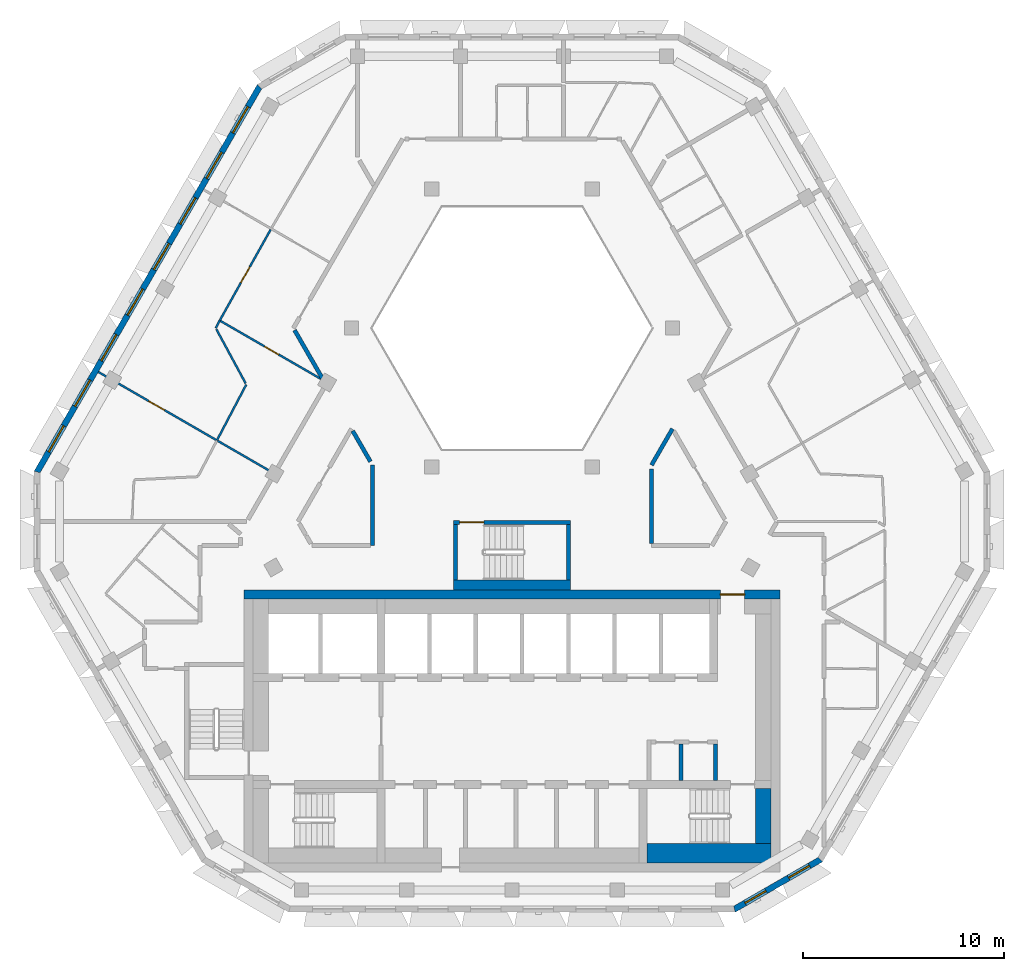
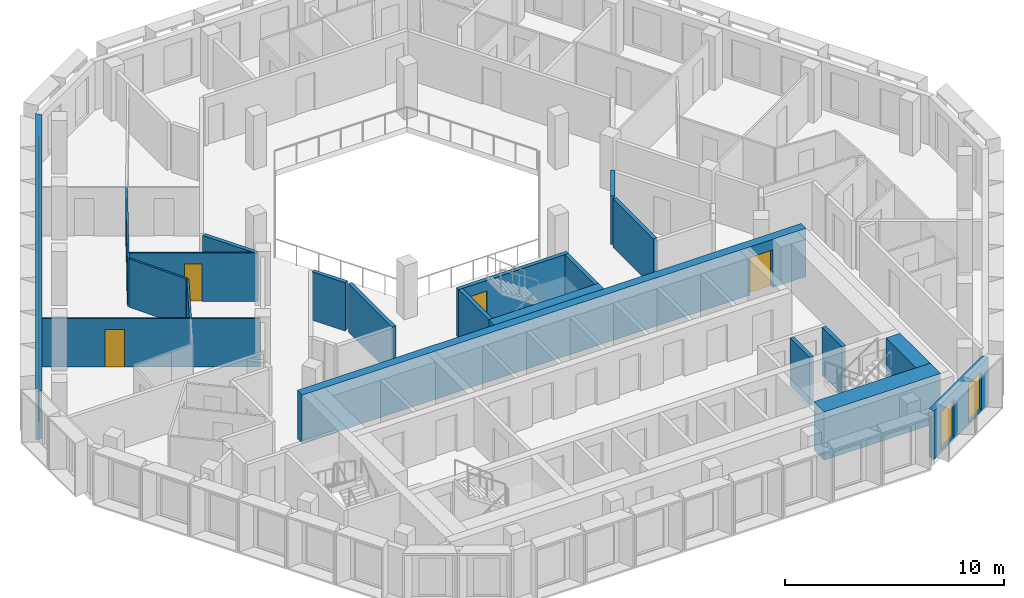
# One storey, part 5 of 16: 22 walls, 10 windows, 5 doors, 15 openings.
"""IFC4 building model written with IfcOpenShell, lengths in metres."""

from ifc_helpers import new_model, si_unit, direction, frame, frame_2d, origin, place, context, subcontext, project, spatial, polyline, rectangle, outline, extrude, material, layer, layer_set, type_object, element, fill, save


model = new_model("IFC4")

# Units and contexts
model_context = context("Model", 3, precision=1e-05, world=origin(), true_north=direction((0.0, 1.0)))
body_context = subcontext(model_context, "Body", "Model", "MODEL_VIEW")
ifc_project = project(units=[si_unit("LENGTHUNIT", "METRE"), si_unit("AREAUNIT", "SQUARE_METRE"), si_unit("VOLUMEUNIT", "CUBIC_METRE"), si_unit("PLANEANGLEUNIT", "RADIAN"), si_unit("MASSUNIT", "GRAM", prefix="KILO")], contexts=[model_context])

# Site, building, storey
site_placement = place(None, origin())
site = spatial("IfcSite", under=ifc_project, at=site_placement, CompositionType="ELEMENT")
building_placement = place(site_placement, origin())
building = spatial("IfcBuilding", under=site, at=building_placement, Name="Beryl Residences", CompositionType="ELEMENT")
storey_placement = place(building_placement, frame((0.0, 0.0, 226.800048828125)))
storey = spatial("IfcBuildingStorey", under=building, at=storey_placement, Name="L70", CompositionType="ELEMENT", Elevation=226.800048828125)

# Wall, openings, windows
ifc_material_1 = material(Name="Composite metal panel with mineral wool insulation")
ifc_layer_1 = layer(ifc_material_1, 0.300048828125)
ifc_layer_set_1 = layer_set([ifc_layer_1], Name="ES1 pale metal composite panel wall 300 mm")
wall_type_1 = type_object("IfcWallType", Name="ES1 pale metal composite panel wall 300 mm", PredefinedType="SOLIDWALL", material=ifc_layer_set_1)
wall_1_placement = place(storey_placement, frame((-12.513916015625, 20.02490234375, 0.0), z_axis=(0.0, 0.0, 1.0), x_axis=(-0.500003656944, -0.866023292436, 0.0)))
wall_1 = element("IfcWall", 1, at=wall_1_placement, inside=storey, type_object=wall_type_1, Name="ES1 external wall L70 NW", PredefinedType="SOLIDWALL", context=body_context, shape_type="SweptSolid", body=[
    extrude(outline(polyline([(0.0, -0.14990234375), (22.170166015625, -0.14990234375), (22.08984375, 0.14990234375), (0.080322265625, 0.14990234375), (0.0, -0.14990234375)])), origin(), (0.0, 0.0, 1.0), 2.699951171875),
])
opening_1_placement = place(wall_1_placement, frame((1.19091796875, 0.0, 0.14990234375)))
opening_1 = element("IfcOpeningElement", 2, at=opening_1_placement, cuts=wall_1, Name="Opening W1", PredefinedType="OPENING", context=body_context, shape_type="SweptSolid", body=[
    extrude(rectangle(XDim=1.5, YDim=2.10009765625, at=frame_2d((0.75, 1.050048828125))), frame((0.0, 0.159912109375, 0.0), z_axis=(0.0, -1.0, 0.0), x_axis=(1.0, 0.0, 0.0)), (0.0, 0.0, 1.0), 0.320068359375),
])
opening_2_placement = place(wall_1_placement, frame((3.803955078125, 0.0, 0.14990234375)))
opening_2 = element("IfcOpeningElement", 3, at=opening_2_placement, cuts=wall_1, Name="Opening W1", PredefinedType="OPENING", context=body_context, shape_type="SweptSolid", body=[
    extrude(rectangle(XDim=1.5, YDim=2.10009765625, at=frame_2d((0.75, 1.050048828125))), frame((0.0, 0.159912109375, 0.0), z_axis=(0.0, -1.0, 0.0), x_axis=(1.0, 0.0, 0.0)), (0.0, 0.0, 1.0), 0.320068359375),
])
opening_3_placement = place(wall_1_placement, frame((6.416015625, 0.0, 0.14990234375)))
opening_3 = element("IfcOpeningElement", 4, at=opening_3_placement, cuts=wall_1, Name="Opening W1", PredefinedType="OPENING", context=body_context, shape_type="SweptSolid", body=[
    extrude(rectangle(XDim=1.5, YDim=2.10009765625, at=frame_2d((0.75, 1.050048828125))), frame((0.0, 0.159912109375, 0.0), z_axis=(0.0, -1.0, 0.0), x_axis=(1.0, 0.0, 0.0)), (0.0, 0.0, 1.0), 0.320068359375),
])
opening_4_placement = place(wall_1_placement, frame((9.029052734375, 0.0, 0.14990234375)))
opening_4 = element("IfcOpeningElement", 5, at=opening_4_placement, cuts=wall_1, Name="Opening W1", PredefinedType="OPENING", context=body_context, shape_type="SweptSolid", body=[
    extrude(rectangle(XDim=1.5, YDim=2.10009765625, at=frame_2d((0.75, 1.050048828125))), frame((0.0, 0.159912109375, 0.0), z_axis=(0.0, -1.0, 0.0), x_axis=(1.0, 0.0, 0.0)), (0.0, 0.0, 1.0), 0.320068359375),
])
opening_5_placement = place(wall_1_placement, frame((11.64111328125, 0.0, 0.14990234375)))
opening_5 = element("IfcOpeningElement", 6, at=opening_5_placement, cuts=wall_1, Name="Opening W1", PredefinedType="OPENING", context=body_context, shape_type="SweptSolid", body=[
    extrude(rectangle(XDim=1.5, YDim=2.10009765625, at=frame_2d((0.75, 1.050048828125))), frame((0.0, 0.159912109375, 0.0), z_axis=(0.0, -1.0, 0.0), x_axis=(1.0, 0.0, 0.0)), (0.0, 0.0, 1.0), 0.320068359375),
])
opening_6_placement = place(wall_1_placement, frame((14.25390625, 0.0, 0.14990234375)))
opening_6 = element("IfcOpeningElement", 7, at=opening_6_placement, cuts=wall_1, Name="Opening W1", PredefinedType="OPENING", context=body_context, shape_type="SweptSolid", body=[
    extrude(rectangle(XDim=1.5, YDim=2.10009765625, at=frame_2d((0.75, 1.050048828125))), frame((0.0, 0.159912109375, 0.0), z_axis=(0.0, -1.0, 0.0), x_axis=(1.0, 0.0, 0.0)), (0.0, 0.0, 1.0), 0.320068359375),
])
opening_7_placement = place(wall_1_placement, frame((16.865966796875, 0.0, 0.14990234375)))
opening_7 = element("IfcOpeningElement", 8, at=opening_7_placement, cuts=wall_1, Name="Opening W1", PredefinedType="OPENING", context=body_context, shape_type="SweptSolid", body=[
    extrude(rectangle(XDim=1.5, YDim=2.10009765625, at=frame_2d((0.75, 1.050048828125))), frame((0.0, 0.159912109375, 0.0), z_axis=(0.0, -1.0, 0.0), x_axis=(1.0, 0.0, 0.0)), (0.0, 0.0, 1.0), 0.320068359375),
])
opening_8_placement = place(wall_1_placement, frame((19.47900390625, 0.0, 0.14990234375)))
opening_8 = element("IfcOpeningElement", 9, at=opening_8_placement, cuts=wall_1, Name="Opening W1", PredefinedType="OPENING", context=body_context, shape_type="SweptSolid", body=[
    extrude(rectangle(XDim=1.5, YDim=2.10009765625, at=frame_2d((0.75, 1.050048828125))), frame((0.0, 0.159912109375, 0.0), z_axis=(0.0, -1.0, 0.0), x_axis=(1.0, 0.0, 0.0)), (0.0, 0.0, 1.0), 0.320068359375),
])
ifc_material_2 = material(Name="Aluminium and clear glass", Category="aluminium")
window_type_1 = type_object("IfcWindowType", Name="W1 cell window 1500 x 2100 mm", PartitioningType="SINGLE_PANEL", PredefinedType="WINDOW", material=ifc_material_2)
window_1_placement = place(opening_1_placement, origin())
window_1 = element("IfcWindow", 10, at=window_1_placement, inside=storey, type_object=window_type_1, Name="W1 window L70 NW 1", OverallHeight=2.10009765625, OverallWidth=1.5, PartitioningType="SINGLE_PANEL", PredefinedType="WINDOW", context=body_context, shape_type="SweptSolid", body=[
    extrude(rectangle(XDim=1.5, YDim=2.10009765625, at=frame_2d((0.75, 1.050048828125))), frame((0.0, 0.030029296875, 0.0), z_axis=(0.0, -1.0, 0.0), x_axis=(1.0, 0.0, 0.0)), (0.0, 0.0, 1.0), 0.06005859375),
])
fill(opening_1, window_1)
window_2_placement = place(opening_2_placement, origin())
window_2 = element("IfcWindow", 11, at=window_2_placement, inside=storey, type_object=window_type_1, Name="W1 window L70 NW 2", OverallHeight=2.10009765625, OverallWidth=1.5, PartitioningType="SINGLE_PANEL", PredefinedType="WINDOW", context=body_context, shape_type="SweptSolid", body=[
    extrude(rectangle(XDim=1.5, YDim=2.10009765625, at=frame_2d((0.75, 1.050048828125))), frame((0.0, 0.030029296875, 0.0), z_axis=(0.0, -1.0, 0.0), x_axis=(1.0, 0.0, 0.0)), (0.0, 0.0, 1.0), 0.06005859375),
])
fill(opening_2, window_2)
window_3_placement = place(opening_3_placement, origin())
window_3 = element("IfcWindow", 12, at=window_3_placement, inside=storey, type_object=window_type_1, Name="W1 window L70 NW 3", OverallHeight=2.10009765625, OverallWidth=1.5, PartitioningType="SINGLE_PANEL", PredefinedType="WINDOW", context=body_context, shape_type="SweptSolid", body=[
    extrude(rectangle(XDim=1.5, YDim=2.10009765625, at=frame_2d((0.75, 1.050048828125))), frame((0.0, 0.030029296875, 0.0), z_axis=(0.0, -1.0, 0.0), x_axis=(1.0, 0.0, 0.0)), (0.0, 0.0, 1.0), 0.06005859375),
])
fill(opening_3, window_3)
window_4_placement = place(opening_4_placement, origin())
window_4 = element("IfcWindow", 13, at=window_4_placement, inside=storey, type_object=window_type_1, Name="W1 window L70 NW 4", OverallHeight=2.10009765625, OverallWidth=1.5, PartitioningType="SINGLE_PANEL", PredefinedType="WINDOW", context=body_context, shape_type="SweptSolid", body=[
    extrude(rectangle(XDim=1.5, YDim=2.10009765625, at=frame_2d((0.75, 1.050048828125))), frame((0.0, 0.030029296875, 0.0), z_axis=(0.0, -1.0, 0.0), x_axis=(1.0, 0.0, 0.0)), (0.0, 0.0, 1.0), 0.06005859375),
])
fill(opening_4, window_4)
window_5_placement = place(opening_5_placement, origin())
window_5 = element("IfcWindow", 14, at=window_5_placement, inside=storey, type_object=window_type_1, Name="W1 window L70 NW 5", OverallHeight=2.10009765625, OverallWidth=1.5, PartitioningType="SINGLE_PANEL", PredefinedType="WINDOW", context=body_context, shape_type="SweptSolid", body=[
    extrude(rectangle(XDim=1.5, YDim=2.10009765625, at=frame_2d((0.75, 1.050048828125))), frame((0.0, 0.030029296875, 0.0), z_axis=(0.0, -1.0, 0.0), x_axis=(1.0, 0.0, 0.0)), (0.0, 0.0, 1.0), 0.06005859375),
])
fill(opening_5, window_5)
window_6_placement = place(opening_6_placement, origin())
window_6 = element("IfcWindow", 15, at=window_6_placement, inside=storey, type_object=window_type_1, Name="W1 window L70 NW 6", OverallHeight=2.10009765625, OverallWidth=1.5, PartitioningType="SINGLE_PANEL", PredefinedType="WINDOW", context=body_context, shape_type="SweptSolid", body=[
    extrude(rectangle(XDim=1.5, YDim=2.10009765625, at=frame_2d((0.75, 1.050048828125))), frame((0.0, 0.030029296875, 0.0), z_axis=(0.0, -1.0, 0.0), x_axis=(1.0, 0.0, 0.0)), (0.0, 0.0, 1.0), 0.06005859375),
])
fill(opening_6, window_6)
window_7_placement = place(opening_7_placement, origin())
window_7 = element("IfcWindow", 16, at=window_7_placement, inside=storey, type_object=window_type_1, Name="W1 window L70 NW 7", OverallHeight=2.10009765625, OverallWidth=1.5, PartitioningType="SINGLE_PANEL", PredefinedType="WINDOW", context=body_context, shape_type="SweptSolid", body=[
    extrude(rectangle(XDim=1.5, YDim=2.10009765625, at=frame_2d((0.75, 1.050048828125))), frame((0.0, 0.030029296875, 0.0), z_axis=(0.0, -1.0, 0.0), x_axis=(1.0, 0.0, 0.0)), (0.0, 0.0, 1.0), 0.06005859375),
])
fill(opening_7, window_7)
window_8_placement = place(opening_8_placement, origin())
window_8 = element("IfcWindow", 17, at=window_8_placement, inside=storey, type_object=window_type_1, Name="W1 window L70 NW 8", OverallHeight=2.10009765625, OverallWidth=1.5, PartitioningType="SINGLE_PANEL", PredefinedType="WINDOW", context=body_context, shape_type="SweptSolid", body=[
    extrude(rectangle(XDim=1.5, YDim=2.10009765625, at=frame_2d((0.75, 1.050048828125))), frame((0.0, 0.030029296875, 0.0), z_axis=(0.0, -1.0, 0.0), x_axis=(1.0, 0.0, 0.0)), (0.0, 0.0, 1.0), 0.06005859375),
])
fill(opening_8, window_8)

wall_2_placement = place(storey_placement, frame((11.010009765625, -20.8701171875, 0.0), z_axis=(0.0, 0.0, 1.0), x_axis=(0.866022959057, 0.500004234368, 0.0)))
wall_2 = element("IfcWall", 18, at=wall_2_placement, inside=storey, type_object=wall_type_1, Name="ES1 external wall L70 S-SE", PredefinedType="SOLIDWALL", context=body_context, shape_type="SweptSolid", body=[
    extrude(outline(polyline([(0.0, -0.14990234375), (5.0, -0.14990234375), (4.919677734375, 0.14990234375), (0.080322265625, 0.14990234375), (0.0, -0.14990234375)])), origin(), (0.0, 0.0, 1.0), 2.699951171875),
])
opening_9_placement = place(wall_2_placement, frame((0.64990234375, 0.0, 0.14990234375)))
opening_9 = element("IfcOpeningElement", 19, at=opening_9_placement, cuts=wall_2, Name="Opening W2", PredefinedType="OPENING", context=body_context, shape_type="SweptSolid", body=[
    extrude(rectangle(XDim=1.199951171875, YDim=2.10009765625, at=frame_2d((0.60009765625, 1.050048828125))), frame((0.0, 0.159912109375, 0.0), z_axis=(0.0, -1.0, 0.0), x_axis=(1.0, 0.0, 0.0)), (0.0, 0.0, 1.0), 0.320068359375),
])
opening_10_placement = place(wall_2_placement, frame((3.14892578125, 0.0, 0.14990234375)))
opening_10 = element("IfcOpeningElement", 20, at=opening_10_placement, cuts=wall_2, Name="Opening W2", PredefinedType="OPENING", context=body_context, shape_type="SweptSolid", body=[
    extrude(rectangle(XDim=1.199951171875, YDim=2.10009765625, at=frame_2d((0.60009765625, 1.050048828125))), frame((0.0, 0.159912109375, 0.0), z_axis=(0.0, -1.0, 0.0), x_axis=(1.0, 0.0, 0.0)), (0.0, 0.0, 1.0), 0.320068359375),
])
ifc_material_3 = material(Name="Aluminium and clear glass", Category="aluminium")
window_type_2 = type_object("IfcWindowType", Name="W2 chamfer window 1200 x 2100 mm", PartitioningType="SINGLE_PANEL", PredefinedType="WINDOW", material=ifc_material_3)
window_9_placement = place(opening_9_placement, origin())
window_9 = element("IfcWindow", 21, at=window_9_placement, inside=storey, type_object=window_type_2, Name="W2 window L70 S-SE 1", OverallHeight=2.10009765625, OverallWidth=1.199951171875, PartitioningType="SINGLE_PANEL", PredefinedType="WINDOW", context=body_context, shape_type="SweptSolid", body=[
    extrude(rectangle(XDim=1.199951171875, YDim=2.10009765625, at=frame_2d((0.60009765625, 1.050048828125))), frame((0.0, 0.030029296875, 0.0), z_axis=(0.0, -1.0, 0.0), x_axis=(1.0, 0.0, 0.0)), (0.0, 0.0, 1.0), 0.06005859375),
])
fill(opening_9, window_9)
window_10_placement = place(opening_10_placement, origin())
window_10 = element("IfcWindow", 22, at=window_10_placement, inside=storey, type_object=window_type_2, Name="W2 window L70 S-SE 2", OverallHeight=2.10009765625, OverallWidth=1.199951171875, PartitioningType="SINGLE_PANEL", PredefinedType="WINDOW", context=body_context, shape_type="SweptSolid", body=[
    extrude(rectangle(XDim=1.199951171875, YDim=2.10009765625, at=frame_2d((0.60009765625, 1.050048828125))), frame((0.0, 0.030029296875, 0.0), z_axis=(0.0, -1.0, 0.0), x_axis=(1.0, 0.0, 0.0)), (0.0, 0.0, 1.0), 0.06005859375),
])
fill(opening_10, window_10)

# Wall
ifc_material_4 = material(Name="Gypsum board partition on steel studs", Category="steel")
ifc_layer_2 = layer(ifc_material_4, 0.10009765625)
ifc_layer_set_2 = layer_set([ifc_layer_2], Name="PT1 partition 100 mm gypsum board on steel studs")
wall_type_2 = type_object("IfcWallType", Name="PT1 partition 100 mm gypsum board on steel studs", PredefinedType="PARTITIONING", material=ifc_layer_set_2)
wall_3_placement = place(storey_placement, frame((-14.679931640625, 7.947021484375, 0.0), z_axis=(0.0, 0.0, 1.0), x_axis=(0.475823637798, -0.879540712936, 0.0)))
element("IfcWall", 23, at=wall_3_placement, inside=storey, type_object=wall_type_2, Name="Wall PT1 L70 008", PredefinedType="PARTITIONING", context=body_context, shape_type="SweptSolid", body=[
    extrude(rectangle(XDim=3.064208984375, YDim=0.10009765625, at=frame_2d((1.5322265625, 0.0))), origin(), (0.0, 0.0, 1.0), 2.699951171875),
])

# Wall, opening, door
wall_4_placement = place(storey_placement, frame((-20.5390625, 5.824951171875, 0.0), z_axis=(0.0, 0.0, 1.0), x_axis=(0.866047370643, -0.499961950354, 0.0)))
wall_4 = element("IfcWall", 24, at=wall_4_placement, inside=storey, type_object=wall_type_2, Name="Wall PT1 L70 013", PredefinedType="PARTITIONING", context=body_context, shape_type="SweptSolid", body=[
    extrude(rectangle(XDim=10.000732421875, YDim=0.10009765625, at=frame_2d((5.00048828125, 0.0))), origin(), (0.0, 0.0, 1.0), 2.699951171875),
])
opening_11_placement = place(wall_4_placement, frame((2.886962890625, 0.0, 0.0)))
opening_11 = element("IfcOpeningElement", 25, at=opening_11_placement, cuts=wall_4, Name="Opening D1929", PredefinedType="OPENING", context=body_context, shape_type="SweptSolid", body=[
    extrude(rectangle(XDim=0.89990234375, YDim=2.10009765625, at=frame_2d((0.449951171875, 1.050048828125))), frame((0.0, 0.06005859375, 0.0), z_axis=(0.0, -1.0, 0.0), x_axis=(1.0, 0.0, 0.0)), (0.0, 0.0, 1.0), 0.1201171875),
])
ifc_material_5 = material(Name="Timber door leaf", Category="wood")
door_type_1 = type_object("IfcDoorType", Name="D2 room door 900 x 2100 mm", OperationType="SINGLE_SWING_LEFT", PredefinedType="DOOR", material=ifc_material_5)
door_1_placement = place(opening_11_placement, origin())
door_1 = element("IfcDoor", 26, at=door_1_placement, inside=storey, type_object=door_type_1, Name="Door D1929 L70 001", OperationType="SINGLE_SWING_LEFT", OverallHeight=2.10009765625, OverallWidth=0.89990234375, PredefinedType="DOOR", context=body_context, shape_type="SweptSolid", body=[
    extrude(rectangle(XDim=0.89990234375, YDim=2.10009765625, at=frame_2d((0.449951171875, 1.050048828125))), frame((0.0, 0.02490234375, 0.0), z_axis=(0.0, -1.0, 0.0), x_axis=(1.0, 0.0, 0.0)), (0.0, 0.0, 1.0), 0.050048828125),
])
fill(opening_11, door_1)

wall_5_placement = place(storey_placement, frame((-14.469970703125, 8.35400390625, 0.0), z_axis=(0.0, 0.0, 1.0), x_axis=(0.866067902578, -0.499926382705, 0.0)))
wall_5 = element("IfcWall", 27, at=wall_5_placement, inside=storey, type_object=wall_type_2, Name="Wall PT1 L70 014", PredefinedType="PARTITIONING", context=body_context, shape_type="SweptSolid", body=[
    extrude(rectangle(XDim=5.9072265625, YDim=0.10009765625, at=frame_2d((2.95361328125, 0.0))), origin(), (0.0, 0.0, 1.0), 2.699951171875),
])
opening_12_placement = place(wall_5_placement, frame((2.529052734375, 0.0, 0.0)))
opening_12 = element("IfcOpeningElement", 28, at=opening_12_placement, cuts=wall_5, Name="Opening D1926", PredefinedType="OPENING", context=body_context, shape_type="SweptSolid", body=[
    extrude(rectangle(XDim=0.800048828125, YDim=2.10009765625, at=frame_2d((0.39990234375, 1.050048828125))), frame((0.0, 0.06005859375, 0.0), z_axis=(0.0, -1.0, 0.0), x_axis=(1.0, 0.0, 0.0)), (0.0, 0.0, 1.0), 0.1201171875),
])
ifc_material_6 = material(Name="Timber door leaf", Category="wood")
door_type_2 = type_object("IfcDoorType", Name="D3 bathroom door 800 x 2100 mm", OperationType="SINGLE_SWING_LEFT", PredefinedType="DOOR", material=ifc_material_6)
door_2_placement = place(opening_12_placement, origin())
door_2 = element("IfcDoor", 29, at=door_2_placement, inside=storey, type_object=door_type_2, Name="Door D1926 L70 001", OperationType="SINGLE_SWING_RIGHT", OverallHeight=2.10009765625, OverallWidth=0.800048828125, PredefinedType="DOOR", context=body_context, shape_type="SweptSolid", body=[
    extrude(rectangle(XDim=0.800048828125, YDim=2.10009765625, at=frame_2d((0.39990234375, 1.050048828125))), frame((0.0, 0.02490234375, 0.0), z_axis=(0.0, -1.0, 0.0), x_axis=(1.0, 0.0, 0.0)), (0.0, 0.0, 1.0), 0.050048828125),
])
fill(opening_12, door_2)

wall_6_placement = place(storey_placement, frame((-14.52197265625, 8.362060546875, 0.0), z_axis=(0.0, 0.0, 1.0), x_axis=(0.488772229601, 0.872411432508, 0.0)))
wall_6 = element("IfcWall", 30, at=wall_6_placement, inside=storey, type_object=wall_type_2, Name="Wall PT1 L70 026", PredefinedType="PARTITIONING", context=body_context, shape_type="SweptSolid", body=[
    extrude(rectangle(XDim=5.19482421875, YDim=0.10009765625, at=frame_2d((2.597412109375, 0.0))), origin(), (0.0, 0.0, 1.0), 2.699951171875),
])
opening_13_placement = place(wall_6_placement, frame((2.173095703125, 0.0, 0.0)))
opening_13 = element("IfcOpeningElement", 31, at=opening_13_placement, cuts=wall_6, Name="Opening D1927", PredefinedType="OPENING", context=body_context, shape_type="SweptSolid", body=[
    extrude(rectangle(XDim=0.89990234375, YDim=2.10009765625, at=frame_2d((0.449951171875, 1.050048828125))), frame((0.0, 0.06005859375, 0.0), z_axis=(0.0, -1.0, 0.0), x_axis=(1.0, 0.0, 0.0)), (0.0, 0.0, 1.0), 0.1201171875),
])
door_3_placement = place(opening_13_placement, origin())
door_3 = element("IfcDoor", 32, at=door_3_placement, inside=storey, type_object=door_type_1, Name="Door D1927 L70 001", OperationType="SINGLE_SWING_LEFT", OverallHeight=2.10009765625, OverallWidth=0.89990234375, PredefinedType="DOOR", context=body_context, shape_type="SweptSolid", body=[
    extrude(rectangle(XDim=0.89990234375, YDim=2.10009765625, at=frame_2d((0.449951171875, 1.050048828125))), frame((0.0, 0.02490234375, 0.0), z_axis=(0.0, -1.0, 0.0), x_axis=(1.0, 0.0, 0.0)), (0.0, 0.0, 1.0), 0.050048828125),
])
fill(opening_13, door_3)

# Walls
wall_7_placement = place(storey_placement, frame((-14.708984375, 8.0, 0.0), z_axis=(0.0, 0.0, 1.0), x_axis=(0.458976923864, 0.888448188337, 0.0)))
element("IfcWall", 33, at=wall_7_placement, inside=storey, type_object=wall_type_2, Name="Wall PT1 L70 030", PredefinedType="PARTITIONING", context=body_context, shape_type="SweptSolid", body=[
    extrude(rectangle(XDim=0.44677734375, YDim=0.10009765625, at=frame_2d((0.223388671875, 0.0))), origin(), (0.0, 0.0, 1.0), 2.699951171875),
])
wall_8_placement = place(storey_placement, frame((-14.652099609375, 2.426025390625, 0.0), z_axis=(0.0, 0.0, 1.0), x_axis=(0.465502421984, 0.885046606189, 0.0)))
element("IfcWall", 34, at=wall_8_placement, inside=storey, type_object=wall_type_2, Name="Wall PT1 L70 045", PredefinedType="PARTITIONING", context=body_context, shape_type="SweptSolid", body=[
    extrude(rectangle(XDim=3.13427734375, YDim=0.10009765625, at=frame_2d((1.567138671875, 0.0))), origin(), (0.0, 0.0, 1.0), 2.699951171875),
])
ifc_material_7 = material(Name="Concrete masonry", Category="masonry")
ifc_layer_3 = layer(ifc_material_7, 0.199951171875)
ifc_layer_set_3 = layer_set([ifc_layer_3], Name="PT13 lobby wall 200 mm")
wall_type_3 = type_object("IfcWallType", Name="PT13 lobby wall 200 mm", PredefinedType="PARTITIONING", material=ifc_layer_set_3)
wall_9_placement = place(storey_placement, frame((10.10009765625, -14.449951171875, 0.0), z_axis=(0.0, 0.0, 1.0), x_axis=(0.0, 1.0, 0.0)))
element("IfcWall", 35, at=wall_9_placement, inside=storey, type_object=wall_type_3, Name="Lobby wall 31", PredefinedType="PARTITIONING", context=body_context, shape_type="SweptSolid", body=[
    extrude(rectangle(XDim=1.800048828125, YDim=0.199951171875, at=frame_2d((0.89990234375, 0.0))), origin(), (0.0, 0.0, 1.0), 2.699951171875),
])
ifc_material_8 = material(Name="Double stud gypsum board wall")
ifc_layer_4 = layer(ifc_material_8, 0.199951171875)
ifc_layer_set_4 = layer_set([ifc_layer_4], Name="PT4 corridor wall 200 mm double stud")
wall_type_4 = type_object("IfcWallType", Name="PT4 corridor wall 200 mm double stud", PredefinedType="PARTITIONING", material=ifc_layer_set_4)
wall_10_placement = place(storey_placement, frame((-10.7958984375, 7.89990234375, 0.0), z_axis=(0.0, 0.0, 1.0), x_axis=(0.499674397761, -0.866213308731, 0.0)))
element("IfcWall", 36, at=wall_10_placement, inside=storey, type_object=wall_type_4, Name="Wall PT4 L70 001", PredefinedType="PARTITIONING", context=body_context, shape_type="SweptSolid", body=[
    extrude(rectangle(XDim=2.785400390625, YDim=0.199951171875, at=frame_2d((1.392578125, 0.0))), origin(), (0.0, 0.0, 1.0), 2.699951171875),
])
wall_11_placement = place(storey_placement, frame((-7.908935546875, 2.89794921875, 0.0), z_axis=(0.0, 0.0, 1.0), x_axis=(0.50019444547, -0.865913111531, 0.0)))
element("IfcWall", 37, at=wall_11_placement, inside=storey, type_object=wall_type_4, Name="Wall PT4 L70 002", PredefinedType="PARTITIONING", context=body_context, shape_type="SweptSolid", body=[
    extrude(rectangle(XDim=1.760986328125, YDim=0.199951171875, at=frame_2d((0.88037109375, 0.0))), origin(), (0.0, 0.0, 1.0), 2.699951171875),
])
wall_12_placement = place(storey_placement, frame((6.927978515625, 1.0, 0.0), z_axis=(0.0, 0.0, 1.0), x_axis=(0.0, -1.0, 0.0)))
element("IfcWall", 38, at=wall_12_placement, inside=storey, type_object=wall_type_4, Name="Wall PT4 L70 009", PredefinedType="PARTITIONING", context=body_context, shape_type="SweptSolid", body=[
    extrude(rectangle(XDim=3.698974609375, YDim=0.199951171875, at=frame_2d((1.849609375, 0.0))), origin(), (0.0, 0.0, 1.0), 2.699951171875),
])
wall_13_placement = place(storey_placement, frame((6.927978515625, 1.199951171875, 0.0), z_axis=(0.0, 0.0, 1.0), x_axis=(0.500132712588, 0.865948768577, 0.0)))
element("IfcWall", 39, at=wall_13_placement, inside=storey, type_object=wall_type_4, Name="Wall PT4 L70 018", PredefinedType="PARTITIONING", context=body_context, shape_type="SweptSolid", body=[
    extrude(rectangle(XDim=2.07763671875, YDim=0.199951171875, at=frame_2d((1.038818359375, 0.0))), origin(), (0.0, 0.0, 1.0), 2.699951171875),
])
wall_14_placement = place(storey_placement, frame((-6.927978515625, -2.799072265625, 0.0), z_axis=(0.0, 0.0, 1.0), x_axis=(0.0, 1.0, 0.0)))
element("IfcWall", 40, at=wall_14_placement, inside=storey, type_object=wall_type_4, Name="Wall PT4 L70 028", PredefinedType="PARTITIONING", context=body_context, shape_type="SweptSolid", body=[
    extrude(rectangle(XDim=3.9990234375, YDim=0.199951171875, at=frame_2d((1.99951171875, 0.0))), origin(), (0.0, 0.0, 1.0), 2.699951171875),
])

# Wall, opening, door
ifc_material_9 = material(Name="Concrete C40/50", Category="concrete")
ifc_layer_5 = layer(ifc_material_9, 0.199951171875)
ifc_layer_set_5 = layer_set([ifc_layer_5], Name="PT5 stair enclosure wall 200 mm reinforced concrete C40/50")
wall_type_5 = type_object("IfcWallType", Name="PT5 stair enclosure wall 200 mm reinforced concrete C40/50", PredefinedType="SOLIDWALL", material=ifc_layer_set_5)
wall_15_placement = place(storey_placement, frame((-2.89990234375, -1.64990234375, 0.0), z_axis=(0.0, 0.0, 1.0), x_axis=(1.0, 0.0, 0.0)))
wall_15 = element("IfcWall", 41, at=wall_15_placement, inside=storey, type_object=wall_type_5, Name="Wall PT5 L70 001", PredefinedType="SOLIDWALL", context=body_context, shape_type="SweptSolid", body=[
    extrude(rectangle(XDim=5.7998046875, YDim=0.199951171875, at=frame_2d((2.89990234375, 0.0))), origin(), (0.0, 0.0, 1.0), 2.699951171875),
])
opening_14_placement = place(wall_15_placement, frame((0.300048828125, 0.0, 0.0)))
opening_14 = element("IfcOpeningElement", 42, at=opening_14_placement, cuts=wall_15, Name="Opening DS04", PredefinedType="OPENING", context=body_context, shape_type="SweptSolid", body=[
    extrude(rectangle(XDim=1.199951171875, YDim=2.10009765625, at=frame_2d((0.60009765625, 1.050048828125))), frame((0.0, 0.10986328125, 0.0), z_axis=(0.0, -1.0, 0.0), x_axis=(1.0, 0.0, 0.0)), (0.0, 0.0, 1.0), 0.219970703125),
])
ifc_material_10 = material(Name="Steel door leaf in steel frame", Category="steel")
door_type_3 = type_object("IfcDoorType", Name="D4 stair door 1200 x 2100 mm", OperationType="SINGLE_SWING_LEFT", PredefinedType="DOOR", material=ifc_material_10)
door_4_placement = place(opening_14_placement, origin())
door_4 = element("IfcDoor", 43, at=door_4_placement, inside=storey, type_object=door_type_3, Name="Door DS04 L70 001", OperationType="SINGLE_SWING_LEFT", OverallHeight=2.10009765625, OverallWidth=1.199951171875, PredefinedType="DOOR", context=body_context, shape_type="SweptSolid", body=[
    extrude(rectangle(XDim=1.199951171875, YDim=2.10009765625, at=frame_2d((0.60009765625, 1.050048828125))), frame((0.0, 0.02490234375, 0.0), z_axis=(0.0, -1.0, 0.0), x_axis=(1.0, 0.0, 0.0)), (0.0, 0.0, 1.0), 0.050048828125),
])
fill(opening_14, door_4)

# Walls
for number, where, z_axis, x_axis, name in (
    (44, (-2.800048828125, -4.5, 0.0), (0.0, 0.0, 1.0), (0.0, 1.0, 0.0), "Wall PT5 L70 002"),
    (45, (2.800048828125, -4.5, 0.0), (0.0, 0.0, 1.0), (0.0, 1.0, 0.0), "Wall PT5 L70 003"),
):
    element("IfcWall", number, at=place(storey_placement, frame(where, z_axis=z_axis, x_axis=x_axis)), inside=storey, type_object=wall_type_5, Name=name, PredefinedType="SOLIDWALL", context=body_context, shape_type="SweptSolid", body=[
        extrude(rectangle(XDim=2.75, YDim=0.199951171875, at=frame_2d((1.375, 0.0))), origin(), (0.0, 0.0, 1.0), 2.699951171875),
    ])
ifc_material_11 = material(Name="Concrete C40/50", Category="concrete")
ifc_layer_6 = layer(ifc_material_11, 0.5)
ifc_layer_set_6 = layer_set([ifc_layer_6], Name="PT5-500 stair enclosure wall 500 mm")
wall_type_6 = type_object("IfcWallType", Name="PT5-500 stair enclosure wall 500 mm", PredefinedType="SOLIDWALL", material=ifc_layer_set_6)
wall_16_placement = place(storey_placement, frame((-2.89990234375, -4.75, 0.0), z_axis=(0.0, 0.0, 1.0), x_axis=(1.0, 0.0, 0.0)))
element("IfcWall", 46, at=wall_16_placement, inside=storey, type_object=wall_type_6, Name="Wall PT5-500 L70 001", PredefinedType="SOLIDWALL", context=body_context, shape_type="SweptSolid", body=[
    extrude(rectangle(XDim=5.7998046875, YDim=0.5, at=frame_2d((2.89990234375, 0.0))), origin(), (0.0, 0.0, 1.0), 2.699951171875),
])
ifc_material_12 = material(Name="Concrete C40/50", Category="concrete")
ifc_layer_7 = layer(ifc_material_12, 0.75)
ifc_layer_set_7 = layer_set([ifc_layer_7], Name="PT5-750 stair enclosure wall 750 mm")
wall_type_7 = type_object("IfcWallType", Name="PT5-750 stair enclosure wall 750 mm", PredefinedType="SOLIDWALL", material=ifc_layer_set_7)
wall_17_placement = place(storey_placement, frame((12.47509765625, -17.60009765625, 0.0), z_axis=(0.0, 0.0, 1.0), x_axis=(0.0, 1.0, 0.0)))
element("IfcWall", 47, at=wall_17_placement, inside=storey, type_object=wall_type_7, Name="Stair wall 34", PredefinedType="SOLIDWALL", context=body_context, shape_type="SweptSolid", body=[
    extrude(rectangle(XDim=2.75, YDim=0.75, at=frame_2d((1.375, 0.0))), origin(), (0.0, 0.0, 1.0), 2.699951171875),
])
ifc_material_13 = material(Name="Concrete C40/50", Category="concrete")
ifc_layer_8 = layer(ifc_material_13, 0.949951171875)
ifc_layer_set_8 = layer_set([ifc_layer_8], Name="PT5-950 stair enclosure wall 950 mm")
wall_type_8 = type_object("IfcWallType", Name="PT5-950 stair enclosure wall 950 mm", PredefinedType="SOLIDWALL", material=ifc_layer_set_8)
wall_18_placement = place(storey_placement, frame((6.699951171875, -18.074951171875, 0.0), z_axis=(0.0, 0.0, 1.0), x_axis=(1.0, 0.0, 0.0)))
element("IfcWall", 48, at=wall_18_placement, inside=storey, type_object=wall_type_8, Name="Stair wall 26", PredefinedType="SOLIDWALL", context=body_context, shape_type="SweptSolid", body=[
    extrude(rectangle(XDim=6.150146484375, YDim=0.949951171875, at=frame_2d((3.0751953125, 0.0))), origin(), (0.0, 0.0, 1.0), 2.699951171875),
])
ifc_material_14 = material(Name="Concrete masonry", Category="masonry")
ifc_layer_9 = layer(ifc_material_14, 0.199951171875)
ifc_layer_set_9 = layer_set([ifc_layer_9], Name="PT8-200 service room wall 200 mm")
wall_type_9 = type_object("IfcWallType", Name="PT8-200 service room wall 200 mm", PredefinedType="PARTITIONING", material=ifc_layer_set_9)
wall_19_placement = place(storey_placement, frame((8.39990234375, -14.449951171875, 0.0), z_axis=(0.0, 0.0, 1.0), x_axis=(0.0, 1.0, 0.0)))
element("IfcWall", 49, at=wall_19_placement, inside=storey, type_object=wall_type_9, Name="Core room wall 30", PredefinedType="PARTITIONING", context=body_context, shape_type="SweptSolid", body=[
    extrude(rectangle(XDim=1.800048828125, YDim=0.199951171875, at=frame_2d((0.89990234375, 0.0))), origin(), (0.0, 0.0, 1.0), 2.699951171875),
])

# Wall, opening, door
ifc_material_15 = material(Name="Concrete C50/60", Category="concrete")
ifc_layer_10 = layer(ifc_material_15, 0.449951171875)
ifc_layer_set_10 = layer_set([ifc_layer_10], Name="SW5 core outer wall 450 mm C50/60")
wall_type_10 = type_object("IfcWallType", Name="SW5 core outer wall 450 mm C50/60", PredefinedType="SHEAR", material=ifc_layer_set_10)
wall_20_placement = place(storey_placement, frame((-13.300048828125, -5.22509765625, 0.0), z_axis=(0.0, 0.0, 1.0), x_axis=(1.0, 0.0, 0.0)))
wall_20 = element("IfcWall", 50, at=wall_20_placement, inside=storey, type_object=wall_type_10, Name="Core wall N L70", PredefinedType="SHEAR", context=body_context, shape_type="SweptSolid", body=[
    extrude(rectangle(XDim=26.60009765625, YDim=0.449951171875, at=frame_2d((13.300048828125, 0.0))), origin(), (0.0, 0.0, 1.0), 2.699951171875),
])
opening_15_placement = place(wall_20_placement, frame((23.64990234375, 0.0, 0.0)))
opening_15 = element("IfcOpeningElement", 51, at=opening_15_placement, cuts=wall_20, Name="Opening FD-NORTH", PredefinedType="OPENING", context=body_context, shape_type="SweptSolid", body=[
    extrude(rectangle(XDim=1.199951171875, YDim=2.10009765625, at=frame_2d((0.60009765625, 1.050048828125))), frame((0.0, 0.23486328125, 0.0), z_axis=(0.0, -1.0, 0.0), x_axis=(1.0, 0.0, 0.0)), (0.0, 0.0, 1.0), 0.469970703125),
])
ifc_material_16 = material(Name="Steel door leaf in steel frame", Category="steel")
door_type_4 = type_object("IfcDoorType", Name="D22 lobby door 1200 x 2100 mm", OperationType="DOUBLE_DOOR_SINGLE_SWING", PredefinedType="DOOR", material=ifc_material_16)
door_5_placement = place(opening_15_placement, origin())
door_5 = element("IfcDoor", 52, at=door_5_placement, inside=storey, type_object=door_type_4, Name="Door FD-NORTH L70 001", OperationType="DOUBLE_DOOR_SINGLE_SWING", OverallHeight=2.10009765625, OverallWidth=1.199951171875, PredefinedType="DOOR", context=body_context, shape_type="SweptSolid", body=[
    extrude(rectangle(XDim=1.199951171875, YDim=2.10009765625, at=frame_2d((0.60009765625, 1.050048828125))), frame((0.0, 0.02490234375, 0.0), z_axis=(0.0, -1.0, 0.0), x_axis=(1.0, 0.0, 0.0)), (0.0, 0.0, 1.0), 0.050048828125),
])
fill(opening_15, door_5)

save(model, "model.ifc")
